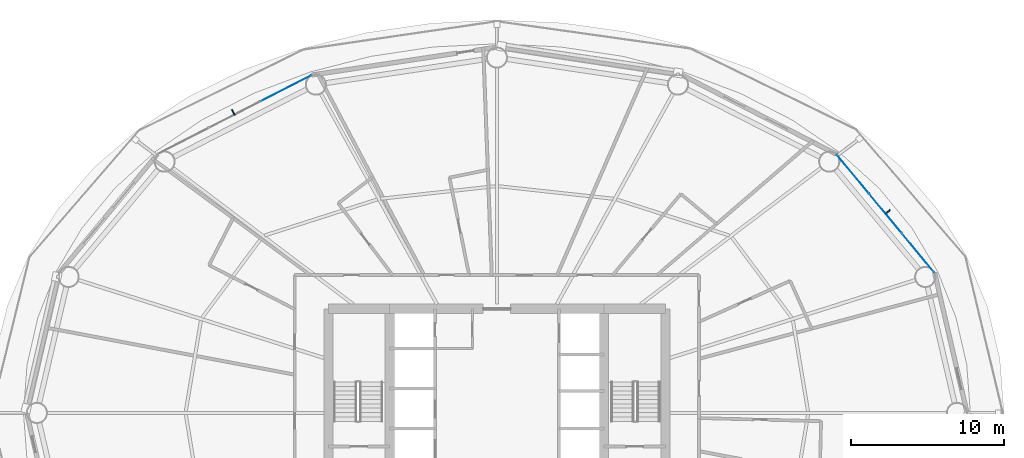
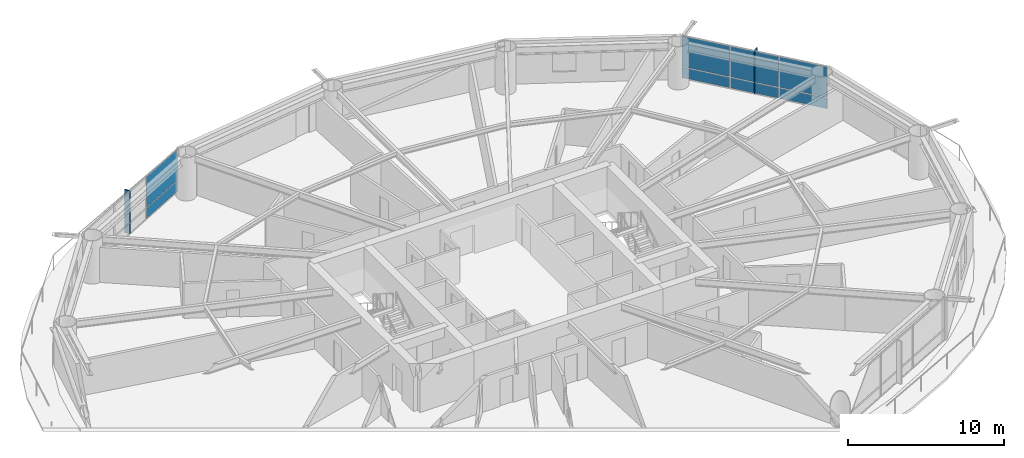
# One storey, part 18 of 26: 10 plates, 2 elements without a shape of their own.
"""IFC4 building model written with IfcOpenShell, lengths in metres."""

import ifcopenshell
import ifcopenshell.guid

model = None  # the IFC model being written
_history = None  # IfcOwnerHistory: only IFC2X3 demands one
_inside = {}  # id of a spatial element -> (the spatial element, [elements in it])
_under = {}  # id of a project, library or spatial element -> (it, [spatial elements below it])
_declared = {}  # id of a project -> (the project, [libraries it declares])
_typed = {}  # id of a type object -> (the type object, [elements of that type])
_made_of = {}  # id of a material, layer set ... -> (it, [elements and type objects made of it])


def new_model(schema):
    """Start an empty IFC model of exactly this schema.

    Asked for "IFC4X3", IfcOpenShell would pick the latest addendum, in which some entities
    have other attributes; the version numbers below select the first issue.
    IFC2X3 requires an IfcOwnerHistory on every rooted entity: one is made here for all.
    """
    global model, _history
    if schema == "IFC4X3":
        model = ifcopenshell.file(schema_version=(4, 3, 0, 0))
    else:
        model = ifcopenshell.file(schema=schema)
    _inside.clear()
    _under.clear()
    _declared.clear()
    _typed.clear()
    _made_of.clear()
    _history = None
    if model.schema == "IFC2X3":
        org = make("IfcOrganization", Name="unknown")
        user = make(
            "IfcPersonAndOrganization",
            ThePerson=make("IfcPerson", FamilyName="unknown"),
            TheOrganization=org,
        )
        app = make(
            "IfcApplication",
            ApplicationDeveloper=org,
            Version="unknown",
            ApplicationFullName="unknown",
            ApplicationIdentifier="unknown",
        )
        _history = make(
            "IfcOwnerHistory",
            OwningUser=user,
            OwningApplication=app,
            ChangeAction="ADDED",
            CreationDate=0,
        )
    return model


def make(cls, **values):
    """One entity of the class cls with the attributes given. An attribute that is None is left unset."""
    return model.create_entity(
        cls, **{name: value for name, value in values.items() if value is not None}
    )


def rooted(cls, **values):
    """An entity with a GlobalId (a new one), such as an element, a storey or a relation."""
    return make(cls, GlobalId=ifcopenshell.guid.new(), OwnerHistory=_history, **values)


def si_unit(unit_type, name, prefix=None):
    """IfcSIUnit, for example si_unit("LENGTHUNIT", "METRE", prefix="MILLI")."""
    return make("IfcSIUnit", UnitType=unit_type, Prefix=prefix, Name=name)


def assignment(units):
    """IfcUnitAssignment: the units of a project."""
    return None if units is None else make("IfcUnitAssignment", Units=units)


def point(xyz):
    """IfcCartesianPoint."""
    return None if xyz is None else make("IfcCartesianPoint", Coordinates=xyz)


def direction(xyz):
    """IfcDirection."""
    return None if xyz is None else make("IfcDirection", DirectionRatios=xyz)


def frame(location, z_axis=None, x_axis=None):
    """IfcAxis2Placement3D, a coordinate frame: its origin and axes. An axis left out is left unset."""
    return make(
        "IfcAxis2Placement3D",
        Location=point(location),
        Axis=direction(z_axis),
        RefDirection=direction(x_axis),
    )


def frame_2d(location, x_axis=None):
    """IfcAxis2Placement2D, a coordinate frame in the plane: its origin and x axis."""
    return make(
        "IfcAxis2Placement2D", Location=point(location), RefDirection=direction(x_axis)
    )


def origin():
    """The frame at (0, 0, 0) with its axes left unset."""
    return frame((0.0, 0.0, 0.0))


def origin_2d():
    """The frame at (0, 0) in the plane with its x axis left unset."""
    return frame_2d((0.0, 0.0))


def place(relative_to, where):
    """IfcLocalPlacement: puts the frame where relative to a parent placement (None: the world)."""
    return make(
        "IfcLocalPlacement", PlacementRelTo=relative_to, RelativePlacement=where
    )


def context(
    kind, dimensions, precision=None, world=None, true_north=None, identifier=None
):
    """IfcGeometricRepresentationContext, for example the 3D "Model" context."""
    return make(
        "IfcGeometricRepresentationContext",
        ContextIdentifier=identifier,
        ContextType=kind,
        CoordinateSpaceDimension=dimensions,
        Precision=precision,
        WorldCoordinateSystem=world,
        TrueNorth=true_north,
    )


def subcontext(parent, identifier, kind, view, scale=None):
    """IfcGeometricRepresentationSubContext, for example "Body" below "Model"."""
    return make(
        "IfcGeometricRepresentationSubContext",
        ContextIdentifier=identifier,
        ContextType=kind,
        ParentContext=parent,
        TargetScale=scale,
        TargetView=view,
    )


def project(units=None, contexts=None):
    """IfcProject with its units and contexts."""
    return rooted(
        "IfcProject",
        Name="project",
        RepresentationContexts=contexts,
        UnitsInContext=assignment(units),
    )


def spatial(cls, under=None, at=None, **own):
    """A site, building, storey or space (cls), placed at a placement, below another one or the project."""
    s = rooted(cls, ObjectPlacement=at, **own)
    if under is not None:
        _under.setdefault(under.id(), (under, []))[1].append(s)
    return s


def profile(cls, at=None, kind="AREA", **sizes):
    """A parametric profile (cls). Its sizes go by their IFC names, for example OverallWidth=200.0."""
    return make(cls, ProfileType=kind, Position=at, **sizes)


def rectangle(**sizes):
    """IfcRectangleProfileDef."""
    return profile("IfcRectangleProfileDef", **sizes)


def extrude(swept, where, along, depth):
    """IfcExtrudedAreaSolid: the profile swept, set in the frame where, extruded along a direction by depth."""
    return make(
        "IfcExtrudedAreaSolid",
        SweptArea=swept,
        Position=where,
        ExtrudedDirection=direction(along),
        Depth=depth,
    )


def shape(context_of_items, identifier, shape_type, items):
    """IfcShapeRepresentation: the items that make up one representation, for example the "Body"."""
    return make(
        "IfcShapeRepresentation",
        ContextOfItems=context_of_items,
        RepresentationIdentifier=identifier,
        RepresentationType=shape_type,
        Items=items,
    )


def material(Name=None, Category=None):
    """IfcMaterial."""
    return make("IfcMaterial", Name=Name, Category=Category)


def layer(
    of_material, thickness, ventilated=None, Name=None, Category=None, Priority=None
):
    """IfcMaterialLayer: one layer of a wall or slab, of a material (None: an air gap)."""
    return make(
        "IfcMaterialLayer",
        Material=of_material,
        LayerThickness=thickness,
        IsVentilated=ventilated,
        Name=Name,
        Category=Category,
        Priority=Priority,
    )


def layer_set(layers, Name=None):
    """IfcMaterialLayerSet."""
    return make("IfcMaterialLayerSet", MaterialLayers=layers, LayerSetName=Name)


def made_of(thing, what):
    """Note that an element or type object is made of a material, layer set ...; save() writes the relation."""
    if what is not None:
        _made_of.setdefault(what.id(), (what, []))[1].append(thing)
    return thing


def type_object(cls, material=None, **own):
    """A type object (cls), such as IfcWallType, which elements share."""
    return made_of(rooted(cls, **own), material)


def element(
    cls,
    number,
    at=None,
    inside=None,
    cuts=None,
    type_object=None,
    material=None,
    context=None,
    identifier="Body",
    shape_type=None,
    held_by="IfcProductDefinitionShape",
    body=None,
    shapes=None,
    **own,
):
    """One element of the class cls, such as IfcWall. Its Tag is "e" and its number.

    at: its placement. inside: the storey or other place that contains it. cuts: it is an
    opening in that element (IfcRelVoidsElement). A single representation is given by context,
    identifier, shape_type and body (its items); several are given by shapes. held_by: the class
    of the entity that holds the representations. save() writes the other relations.
    """
    e = rooted(cls, Tag="e%d" % number, ObjectPlacement=at, **own)
    if body is not None:
        shapes = [shape(context, identifier, shape_type, body)]
    if shapes is not None:
        e.Representation = make(held_by, Representations=shapes)
    if inside is not None:
        _inside.setdefault(inside.id(), (inside, []))[1].append(e)
    if cuts is not None:
        rooted(
            "IfcRelVoidsElement", RelatingBuildingElement=cuts, RelatedOpeningElement=e
        )
    if type_object is not None:
        _typed.setdefault(type_object.id(), (type_object, []))[1].append(e)
    return made_of(e, material)


def aggregate(whole, parts):
    """IfcRelAggregates: a whole, such as a stair, and the parts it consists of."""
    return rooted("IfcRelAggregates", RelatingObject=whole, RelatedObjects=parts)


def save(model, path):
    """Write the relations noted so far, then the file.

    IfcRelAggregates (storeys below a building ...), IfcRelContainedInSpatialStructure (elements
    in a storey), IfcRelDefinesByType, IfcRelAssociatesMaterial and IfcRelDeclares: one each for
    every whole, place, type object, material and project.
    """
    for whole, parts in _under.values():
        aggregate(whole, parts)
    for where, things in _inside.values():
        rooted(
            "IfcRelContainedInSpatialStructure",
            RelatedElements=things,
            RelatingStructure=where,
        )
    for kind, things in _typed.values():
        rooted("IfcRelDefinesByType", RelatedObjects=things, RelatingType=kind)
    for what, things in _made_of.values():
        rooted("IfcRelAssociatesMaterial", RelatedObjects=things, RelatingMaterial=what)
    for by, libraries in _declared.values():
        rooted("IfcRelDeclares", RelatingContext=by, RelatedDefinitions=libraries)
    model.write(path)


model = new_model("IFC4")

# Units and contexts
model_context = context("Model", 3, precision=1e-05, world=origin(), true_north=direction((0.0, 1.0)))
body_context = subcontext(model_context, "Body", "Model", "MODEL_VIEW")
ifc_project = project(units=[si_unit("LENGTHUNIT", "METRE"), si_unit("AREAUNIT", "SQUARE_METRE"), si_unit("VOLUMEUNIT", "CUBIC_METRE"), si_unit("PLANEANGLEUNIT", "RADIAN"), si_unit("MASSUNIT", "GRAM", prefix="KILO")], contexts=[model_context])

# Site, building, storey
site_placement = place(None, origin())
site = spatial("IfcSite", under=ifc_project, at=site_placement, CompositionType="ELEMENT")
building_placement = place(site_placement, origin())
building = spatial("IfcBuilding", under=site, at=building_placement, Name="Sarneth Arch Tower", CompositionType="ELEMENT")
storey_placement = place(building_placement, frame((0.0, 0.0, 42.60009765625)))
storey = spatial("IfcBuildingStorey", under=building, at=storey_placement, Name="L09", CompositionType="ELEMENT", Elevation=42.60009765625)

# Curtain wall, plates
ifc_material_1 = material(Name="Anodised aluminium Type AA25 and solar-control low-e laminated IGU", Category="aluminium")
ifc_layer_1 = layer(ifc_material_1, 0.159912109375)
ifc_layer_set_1 = layer_set([ifc_layer_1], Name="Anodised aluminium Type AA25 and solar-control low-e laminated IGU")
curtain_wall_type = type_object("IfcCurtainWallType", Name="CW-HOTEL-LOW", PredefinedType="NOTDEFINED", material=ifc_layer_set_1)
curtain_wall_1_placement = place(storey_placement, origin())
curtain_wall_1 = element("IfcCurtainWall", 1, at=curtain_wall_1_placement, inside=storey, type_object=curtain_wall_type, Name="L09 Unitised curtain wall facet 02", PredefinedType="NOTDEFINED")
ifc_material_2 = material(Name="Solar-control low-e laminated IGU", Category="glass")
ifc_layer_2 = layer(ifc_material_2, 0.028076171875)
ifc_layer_set_2 = layer_set([ifc_layer_2], Name="Solar-control low-e laminated IGU")
plate_type_1 = type_object("IfcPlateType", Name="CW-PANEL", PredefinedType="CURTAIN_PANEL", material=ifc_layer_set_2)
plate_1_placement = place(storey_placement, frame((75.503662109375, 52.441162109375, 0.059814453125), z_axis=(0.0, 0.0, 1.0), x_axis=(-0.637291340827, 0.770622960278, 0.0)))
plate_1 = element("IfcPlate", 2, at=plate_1_placement, type_object=plate_type_1, Name="Curtain wall glazed vision pane CW-L09-F02/P00-00", PredefinedType="CURTAIN_PANEL", context=body_context, shape_type="SweptSolid", body=[
    extrude(rectangle(XDim=3.260986328125, YDim=0.028076171875, at=origin_2d()), origin(), (0.0, 0.0, 1.0), 0.81005859375),
])
plate_2_placement = place(storey_placement, frame((75.503662109375, 52.441162109375, 0.93017578125), z_axis=(0.0, 0.0, 1.0), x_axis=(-0.637291340827, 0.770622960278, 0.0)))
plate_2 = element("IfcPlate", 3, at=plate_2_placement, type_object=plate_type_1, Name="Curtain wall glazed vision pane CW-L09-F02/P00-01", PredefinedType="CURTAIN_PANEL", context=body_context, shape_type="SweptSolid", body=[
    extrude(rectangle(XDim=3.260986328125, YDim=0.028076171875, at=origin_2d()), origin(), (0.0, 0.0, 1.0), 2.389892578125),
])
plate_3_placement = place(storey_placement, frame((73.37744140625, 55.01220703125, 0.059814453125), z_axis=(0.0, 0.0, 1.0), x_axis=(-0.637291340827, 0.770622960278, 0.0)))
plate_3 = element("IfcPlate", 4, at=plate_3_placement, type_object=plate_type_1, Name="Curtain wall glazed vision pane CW-L09-F02/P01-00", PredefinedType="CURTAIN_PANEL", context=body_context, shape_type="SweptSolid", body=[
    extrude(rectangle(XDim=3.291015625, YDim=0.028076171875, at=origin_2d()), origin(), (0.0, 0.0, 1.0), 0.81005859375),
])
plate_4_placement = place(storey_placement, frame((73.37744140625, 55.01220703125, 0.93017578125), z_axis=(0.0, 0.0, 1.0), x_axis=(-0.637291340827, 0.770622960278, 0.0)))
plate_4 = element("IfcPlate", 5, at=plate_4_placement, type_object=plate_type_1, Name="Curtain wall glazed vision pane CW-L09-F02/P01-01", PredefinedType="CURTAIN_PANEL", context=body_context, shape_type="SweptSolid", body=[
    extrude(rectangle(XDim=3.291015625, YDim=0.028076171875, at=origin_2d()), origin(), (0.0, 0.0, 1.0), 2.389892578125),
])
plate_5_placement = place(storey_placement, frame((71.25146484375, 57.5830078125, 0.059814453125), z_axis=(0.0, 0.0, 1.0), x_axis=(-0.637291340827, 0.770622960278, 0.0)))
plate_5 = element("IfcPlate", 6, at=plate_5_placement, type_object=plate_type_1, Name="Curtain wall glazed vision pane CW-L09-F02/P02-00", PredefinedType="CURTAIN_PANEL", context=body_context, shape_type="SweptSolid", body=[
    extrude(rectangle(XDim=3.260986328125, YDim=0.028076171875, at=origin_2d()), origin(), (0.0, 0.0, 1.0), 0.81005859375),
])
plate_6_placement = place(storey_placement, frame((71.25146484375, 57.5830078125, 0.93017578125), z_axis=(0.0, 0.0, 1.0), x_axis=(-0.637291340827, 0.770622960278, 0.0)))
plate_6 = element("IfcPlate", 7, at=plate_6_placement, type_object=plate_type_1, Name="Curtain wall glazed vision pane CW-L09-F02/P02-01", PredefinedType="CURTAIN_PANEL", context=body_context, shape_type="SweptSolid", body=[
    extrude(rectangle(XDim=3.260986328125, YDim=0.028076171875, at=origin_2d()), origin(), (0.0, 0.0, 1.0), 2.389892578125),
])
aggregate(curtain_wall_1, [plate_1, plate_2, plate_3, plate_4, plate_5, plate_6])

curtain_wall_2_placement = place(storey_placement, origin())
curtain_wall_2 = element("IfcCurtainWall", 8, at=curtain_wall_2_placement, inside=storey, type_object=curtain_wall_type, Name="L09 Unitised curtain wall facet 06", PredefinedType="NOTDEFINED")
plate_7_placement = place(storey_placement, frame((34.22607421875, 63.192626953125, 0.059814453125), z_axis=(0.0, 0.0, 1.0), x_axis=(-0.889854100456, -0.456245197127, 0.0)))
plate_7 = element("IfcPlate", 9, at=plate_7_placement, type_object=plate_type_1, Name="Curtain wall glazed vision pane CW-L09-F06/P00-00", PredefinedType="CURTAIN_PANEL", context=body_context, shape_type="SweptSolid", body=[
    extrude(rectangle(XDim=3.69189453125, YDim=0.028076171875, at=origin_2d()), origin(), (0.0, 0.0, 1.0), 0.81005859375),
])
plate_8_placement = place(storey_placement, frame((34.22607421875, 63.192626953125, 0.93017578125), z_axis=(0.0, 0.0, 1.0), x_axis=(-0.889854100456, -0.456245197127, 0.0)))
plate_8 = element("IfcPlate", 10, at=plate_8_placement, type_object=plate_type_1, Name="Curtain wall glazed vision pane CW-L09-F06/P00-01", PredefinedType="CURTAIN_PANEL", context=body_context, shape_type="SweptSolid", body=[
    extrude(rectangle(XDim=3.69189453125, YDim=0.028076171875, at=origin_2d()), origin(), (0.0, 0.0, 1.0), 2.389892578125),
])
aggregate(curtain_wall_2, [plate_7, plate_8])

# Plates
ifc_material_3 = material(Name="Extruded glazed terracotta baguette fin on Aluminium 6063-T6 carrier", Category="masonry")
ifc_layer_3 = layer(ifc_material_3, 0.080078125)
ifc_layer_set_3 = layer_set([ifc_layer_3], Name="Extruded glazed terracotta baguette fin on Aluminium 6063-T6 carrier")
plate_type_2 = type_object("IfcPlateType", Name="SHADE-TERRA-FIN", PredefinedType="SHEET", material=ifc_layer_set_3)
for number, where, z_axis, x_axis, name in (
    (11, (73.508544921875, 55.120361328125, 0.009765625), (0.0, 0.0, 1.0), (0.770624482513, 0.637289500111, 0.0), "L09 Terracotta vertical shading fin 02"),
    (12, (30.79638671875, 61.625244140625, 0.009765625), (0.0, 0.0, 1.0), (-0.4563215909, 0.889814927768, 0.0), "L09 Terracotta vertical shading fin 06"),
):
    element("IfcPlate", number, at=place(storey_placement, frame(where, z_axis=z_axis, x_axis=x_axis)), inside=storey, type_object=plate_type_2, Name=name, PredefinedType="SHEET", context=body_context, shape_type="SweptSolid", body=[
        extrude(rectangle(XDim=0.419921875, YDim=0.080078125, at=origin_2d()), origin(), (0.0, 0.0, 1.0), 3.360107421875),
    ])

save(model, "model.ifc")
